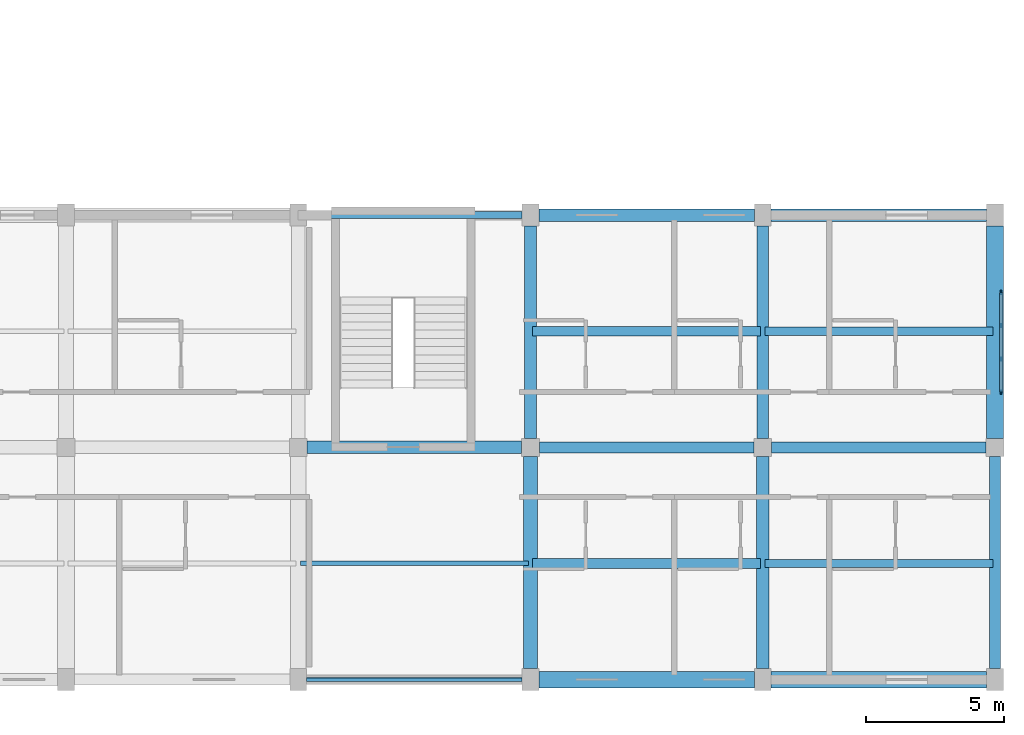
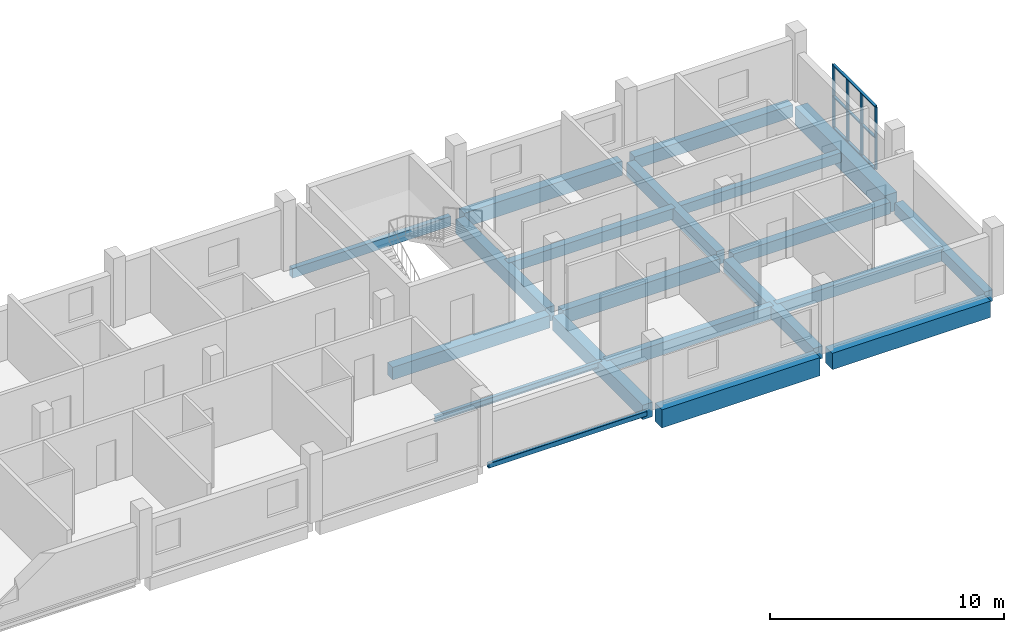
# One storey, part 7 of 26: 20 beams, 7 members, 1 element without a shape of its own.
"""IFC4 building model written with IfcOpenShell, lengths in metres."""

import ifcopenshell
import ifcopenshell.guid

model = None  # the IFC model being written
_history = None  # IfcOwnerHistory: only IFC2X3 demands one
_inside = {}  # id of a spatial element -> (the spatial element, [elements in it])
_under = {}  # id of a project, library or spatial element -> (it, [spatial elements below it])
_declared = {}  # id of a project -> (the project, [libraries it declares])
_typed = {}  # id of a type object -> (the type object, [elements of that type])
_made_of = {}  # id of a material, layer set ... -> (it, [elements and type objects made of it])


def new_model(schema):
    """Start an empty IFC model of exactly this schema.

    Asked for "IFC4X3", IfcOpenShell would pick the latest addendum, in which some entities
    have other attributes; the version numbers below select the first issue.
    IFC2X3 requires an IfcOwnerHistory on every rooted entity: one is made here for all.
    """
    global model, _history
    if schema == "IFC4X3":
        model = ifcopenshell.file(schema_version=(4, 3, 0, 0))
    else:
        model = ifcopenshell.file(schema=schema)
    _inside.clear()
    _under.clear()
    _declared.clear()
    _typed.clear()
    _made_of.clear()
    _history = None
    if model.schema == "IFC2X3":
        org = make("IfcOrganization", Name="unknown")
        user = make(
            "IfcPersonAndOrganization",
            ThePerson=make("IfcPerson", FamilyName="unknown"),
            TheOrganization=org,
        )
        app = make(
            "IfcApplication",
            ApplicationDeveloper=org,
            Version="unknown",
            ApplicationFullName="unknown",
            ApplicationIdentifier="unknown",
        )
        _history = make(
            "IfcOwnerHistory",
            OwningUser=user,
            OwningApplication=app,
            ChangeAction="ADDED",
            CreationDate=0,
        )
    return model


def make(cls, **values):
    """One entity of the class cls with the attributes given. An attribute that is None is left unset."""
    return model.create_entity(
        cls, **{name: value for name, value in values.items() if value is not None}
    )


def rooted(cls, **values):
    """An entity with a GlobalId (a new one), such as an element, a storey or a relation."""
    return make(cls, GlobalId=ifcopenshell.guid.new(), OwnerHistory=_history, **values)


def si_unit(unit_type, name, prefix=None):
    """IfcSIUnit, for example si_unit("LENGTHUNIT", "METRE", prefix="MILLI")."""
    return make("IfcSIUnit", UnitType=unit_type, Prefix=prefix, Name=name)


def derived_unit(unit_type, elements):
    """IfcDerivedUnit: a product of units, each with its exponent."""
    return make(
        "IfcDerivedUnit",
        Elements=[
            make("IfcDerivedUnitElement", Unit=unit, Exponent=power)
            for unit, power in elements
        ],
        UnitType=unit_type,
    )


def assignment(units):
    """IfcUnitAssignment: the units of a project."""
    return None if units is None else make("IfcUnitAssignment", Units=units)


def point(xyz):
    """IfcCartesianPoint."""
    return None if xyz is None else make("IfcCartesianPoint", Coordinates=xyz)


def direction(xyz):
    """IfcDirection."""
    return None if xyz is None else make("IfcDirection", DirectionRatios=xyz)


def frame(location, z_axis=None, x_axis=None):
    """IfcAxis2Placement3D, a coordinate frame: its origin and axes. An axis left out is left unset."""
    return make(
        "IfcAxis2Placement3D",
        Location=point(location),
        Axis=direction(z_axis),
        RefDirection=direction(x_axis),
    )


def frame_2d(location, x_axis=None):
    """IfcAxis2Placement2D, a coordinate frame in the plane: its origin and x axis."""
    return make(
        "IfcAxis2Placement2D", Location=point(location), RefDirection=direction(x_axis)
    )


def origin():
    """The frame at (0, 0, 0) with its axes left unset."""
    return frame((0.0, 0.0, 0.0))


def origin_2d():
    """The frame at (0, 0) in the plane with its x axis left unset."""
    return frame_2d((0.0, 0.0))


def place(relative_to, where):
    """IfcLocalPlacement: puts the frame where relative to a parent placement (None: the world)."""
    return make(
        "IfcLocalPlacement", PlacementRelTo=relative_to, RelativePlacement=where
    )


def context(
    kind, dimensions, precision=None, world=None, true_north=None, identifier=None
):
    """IfcGeometricRepresentationContext, for example the 3D "Model" context."""
    return make(
        "IfcGeometricRepresentationContext",
        ContextIdentifier=identifier,
        ContextType=kind,
        CoordinateSpaceDimension=dimensions,
        Precision=precision,
        WorldCoordinateSystem=world,
        TrueNorth=true_north,
    )


def subcontext(parent, identifier, kind, view, scale=None):
    """IfcGeometricRepresentationSubContext, for example "Body" below "Model"."""
    return make(
        "IfcGeometricRepresentationSubContext",
        ContextIdentifier=identifier,
        ContextType=kind,
        ParentContext=parent,
        TargetScale=scale,
        TargetView=view,
    )


def project(units=None, contexts=None):
    """IfcProject with its units and contexts."""
    return rooted(
        "IfcProject",
        Name="project",
        RepresentationContexts=contexts,
        UnitsInContext=assignment(units),
    )


def spatial(cls, under=None, at=None, **own):
    """A site, building, storey or space (cls), placed at a placement, below another one or the project."""
    s = rooted(cls, ObjectPlacement=at, **own)
    if under is not None:
        _under.setdefault(under.id(), (under, []))[1].append(s)
    return s


def profile(cls, at=None, kind="AREA", **sizes):
    """A parametric profile (cls). Its sizes go by their IFC names, for example OverallWidth=200.0."""
    return make(cls, ProfileType=kind, Position=at, **sizes)


def rectangle(**sizes):
    """IfcRectangleProfileDef."""
    return profile("IfcRectangleProfileDef", **sizes)


def hollow_rectangle(**sizes):
    """IfcRectangleHollowProfileDef."""
    return profile("IfcRectangleHollowProfileDef", **sizes)


def i_section(**sizes):
    """IfcIShapeProfileDef."""
    return profile("IfcIShapeProfileDef", **sizes)


def extrude(swept, where, along, depth):
    """IfcExtrudedAreaSolid: the profile swept, set in the frame where, extruded along a direction by depth."""
    return make(
        "IfcExtrudedAreaSolid",
        SweptArea=swept,
        Position=where,
        ExtrudedDirection=direction(along),
        Depth=depth,
    )


def shape(context_of_items, identifier, shape_type, items):
    """IfcShapeRepresentation: the items that make up one representation, for example the "Body"."""
    return make(
        "IfcShapeRepresentation",
        ContextOfItems=context_of_items,
        RepresentationIdentifier=identifier,
        RepresentationType=shape_type,
        Items=items,
    )


def material(Name=None, Category=None):
    """IfcMaterial."""
    return make("IfcMaterial", Name=Name, Category=Category)


def material_profile(
    of_material, cross_section, Name=None, Category=None, Priority=None
):
    """IfcMaterialProfile: a cross section and its material."""
    return make(
        "IfcMaterialProfile",
        Name=Name,
        Material=of_material,
        Profile=cross_section,
        Priority=Priority,
        Category=Category,
    )


def profile_set(profiles, Name=None, composite=None):
    """IfcMaterialProfileSet."""
    return make(
        "IfcMaterialProfileSet",
        Name=Name,
        MaterialProfiles=profiles,
        CompositeProfile=composite,
    )


def made_of(thing, what):
    """Note that an element or type object is made of a material, layer set ...; save() writes the relation."""
    if what is not None:
        _made_of.setdefault(what.id(), (what, []))[1].append(thing)
    return thing


def type_object(cls, material=None, **own):
    """A type object (cls), such as IfcWallType, which elements share."""
    return made_of(rooted(cls, **own), material)


def element(
    cls,
    number,
    at=None,
    inside=None,
    cuts=None,
    type_object=None,
    material=None,
    context=None,
    identifier="Body",
    shape_type=None,
    held_by="IfcProductDefinitionShape",
    body=None,
    shapes=None,
    **own,
):
    """One element of the class cls, such as IfcWall. Its Tag is "e" and its number.

    at: its placement. inside: the storey or other place that contains it. cuts: it is an
    opening in that element (IfcRelVoidsElement). A single representation is given by context,
    identifier, shape_type and body (its items); several are given by shapes. held_by: the class
    of the entity that holds the representations. save() writes the other relations.
    """
    e = rooted(cls, Tag="e%d" % number, ObjectPlacement=at, **own)
    if body is not None:
        shapes = [shape(context, identifier, shape_type, body)]
    if shapes is not None:
        e.Representation = make(held_by, Representations=shapes)
    if inside is not None:
        _inside.setdefault(inside.id(), (inside, []))[1].append(e)
    if cuts is not None:
        rooted(
            "IfcRelVoidsElement", RelatingBuildingElement=cuts, RelatedOpeningElement=e
        )
    if type_object is not None:
        _typed.setdefault(type_object.id(), (type_object, []))[1].append(e)
    return made_of(e, material)


def aggregate(whole, parts):
    """IfcRelAggregates: a whole, such as a stair, and the parts it consists of."""
    return rooted("IfcRelAggregates", RelatingObject=whole, RelatedObjects=parts)


def save(model, path):
    """Write the relations noted so far, then the file.

    IfcRelAggregates (storeys below a building ...), IfcRelContainedInSpatialStructure (elements
    in a storey), IfcRelDefinesByType, IfcRelAssociatesMaterial and IfcRelDeclares: one each for
    every whole, place, type object, material and project.
    """
    for whole, parts in _under.values():
        aggregate(whole, parts)
    for where, things in _inside.values():
        rooted(
            "IfcRelContainedInSpatialStructure",
            RelatedElements=things,
            RelatingStructure=where,
        )
    for kind, things in _typed.values():
        rooted("IfcRelDefinesByType", RelatedObjects=things, RelatingType=kind)
    for what, things in _made_of.values():
        rooted("IfcRelAssociatesMaterial", RelatedObjects=things, RelatingMaterial=what)
    for by, libraries in _declared.values():
        rooted("IfcRelDeclares", RelatingContext=by, RelatedDefinitions=libraries)
    model.write(path)


model = new_model("IFC4")

# Units and contexts
model_context = context("Model", 3, precision=1e-05, world=origin(), true_north=direction((0.0, 1.0)))
body_context = subcontext(model_context, "Body", "Model", "MODEL_VIEW")
ifc_project = project(units=[si_unit("LENGTHUNIT", "METRE"), si_unit("AREAUNIT", "SQUARE_METRE"), si_unit("VOLUMEUNIT", "CUBIC_METRE"), si_unit("PLANEANGLEUNIT", "RADIAN"), si_unit("MASSUNIT", "GRAM", prefix="KILO"), derived_unit("THERMALTRANSMITTANCEUNIT", [(si_unit("POWERUNIT", "WATT"), 1), (si_unit("LENGTHUNIT", "METRE"), -2), (si_unit("THERMODYNAMICTEMPERATUREUNIT", "KELVIN"), -1)])], contexts=[model_context])

# Site, building, storey
site_placement = place(None, origin())
site = spatial("IfcSite", under=ifc_project, at=site_placement, CompositionType="ELEMENT")
building_placement = place(site_placement, origin())
building = spatial("IfcBuilding", under=site, at=building_placement, Name="Barrovel Congress Hotel", CompositionType="ELEMENT")
storey_placement = place(building_placement, frame((0.0, 0.0, 21.89990234375)))
storey = spatial("IfcBuildingStorey", under=building, at=storey_placement, Name="L05", CompositionType="ELEMENT", Elevation=21.89990234375)

# Beams
ifc_material_1 = material(Name="Concrete C40", Category="concrete")
ifc_material_profile_1 = material_profile(ifc_material_1, rectangle(XDim=0.25, YDim=0.5, at=origin_2d()), Name="RC250x500")
ifc_profile_set_1 = profile_set([ifc_material_profile_1], Name="Concrete C40")
beam_type_1 = type_object("IfcBeamType", Name="BM-RC250x500", PredefinedType="SPANDREL", material=ifc_profile_set_1)
beam_1_placement = place(storey_placement, frame((143.10009765625, 21.0, -0.469970703125), z_axis=(1.0, 0.0, 0.0), x_axis=(0.0, 1.0, 0.0)))
element("IfcBeam", 1, at=beam_1_placement, inside=storey, type_object=beam_type_1, Name="BMX:L05:21.0:142.8-151.2", PredefinedType="SPANDREL", context=body_context, shape_type="SweptSolid", body=[
    extrude(rectangle(XDim=0.25, YDim=0.5, at=origin_2d()), origin(), (0.0, 0.0, 1.0), 7.7998046875),
])
ifc_material_profile_2 = material_profile(ifc_material_1, rectangle(XDim=0.300048828125, YDim=0.5, at=origin_2d()), Name="RC300x500")
ifc_profile_set_2 = profile_set([ifc_material_profile_2], Name="Concrete C40")
beam_type_2 = type_object("IfcBeamType", Name="BM-RC300x500", PredefinedType="JOIST", material=ifc_profile_set_2)
beam_2_placement = place(storey_placement, frame((159.679931640625, 16.800048828125, -0.469970703125), z_axis=(1.0, 0.0, 0.0), x_axis=(0.0, 1.0, 0.0)))
element("IfcBeam", 2, at=beam_2_placement, inside=storey, type_object=beam_type_2, Name="JST:L05:159.6:16.8", PredefinedType="JOIST", context=body_context, shape_type="SweptSolid", body=[
    extrude(rectangle(XDim=0.300048828125, YDim=0.5, at=origin_2d()), origin(), (0.0, 0.0, 1.0), 8.239990234375),
])
ifc_material_profile_3 = material_profile(ifc_material_1, rectangle(XDim=0.300048828125, YDim=0.60009765625, at=origin_2d()), Name="RC300x600")
ifc_profile_set_3 = profile_set([ifc_material_profile_3], Name="Concrete C40")
beam_type_3 = type_object("IfcBeamType", Name="BM-RC300x600", PredefinedType="JOIST", material=ifc_profile_set_3)
beam_3_placement = place(storey_placement, frame((159.679931640625, 8.39990234375, -0.52001953125), z_axis=(1.0, 0.0, 0.0), x_axis=(0.0, 1.0, 0.0)))
element("IfcBeam", 3, at=beam_3_placement, inside=storey, type_object=beam_type_3, Name="JST:L05:159.6:8.4", PredefinedType="JOIST", context=body_context, shape_type="SweptSolid", body=[
    extrude(rectangle(XDim=0.300048828125, YDim=0.60009765625, at=origin_2d()), origin(), (0.0, 0.0, 1.0), 8.239990234375),
])
ifc_material_profile_4 = material_profile(ifc_material_1, rectangle(XDim=0.35009765625, YDim=0.550048828125, at=origin_2d()), Name="RC350x550")
ifc_profile_set_4 = profile_set([ifc_material_profile_4], Name="Concrete C40")
beam_type_4 = type_object("IfcBeamType", Name="BM-RC350x550", PredefinedType="JOIST", material=ifc_profile_set_4)
beam_4_placement = place(storey_placement, frame((151.280029296875, 16.800048828125, -0.494873046875), z_axis=(1.0, 0.0, 0.0), x_axis=(0.0, 1.0, 0.0)))
element("IfcBeam", 4, at=beam_4_placement, inside=storey, type_object=beam_type_4, Name="JST:L05:151.2:16.8", PredefinedType="JOIST", context=body_context, shape_type="SweptSolid", body=[
    extrude(rectangle(XDim=0.35009765625, YDim=0.550048828125, at=origin_2d()), origin(), (0.0, 0.0, 1.0), 8.239990234375),
])
ifc_material_profile_5 = material_profile(ifc_material_1, rectangle(XDim=0.35009765625, YDim=0.64990234375, at=origin_2d()), Name="RC350x650")
ifc_profile_set_5 = profile_set([ifc_material_profile_5], Name="Concrete C40")
beam_type_5 = type_object("IfcBeamType", Name="BM-RC350x650", PredefinedType="JOIST", material=ifc_profile_set_5)
beam_5_placement = place(storey_placement, frame((151.280029296875, 8.39990234375, -0.544921875), z_axis=(1.0, 0.0, 0.0), x_axis=(0.0, 1.0, 0.0)))
element("IfcBeam", 5, at=beam_5_placement, inside=storey, type_object=beam_type_5, Name="JST:L05:151.2:8.4", PredefinedType="JOIST", context=body_context, shape_type="SweptSolid", body=[
    extrude(rectangle(XDim=0.35009765625, YDim=0.64990234375, at=origin_2d()), origin(), (0.0, 0.0, 1.0), 8.239990234375),
])
ifc_material_profile_6 = material_profile(ifc_material_1, rectangle(XDim=0.39990234375, YDim=0.60009765625, at=origin_2d()), Name="RC400x600")
ifc_profile_set_6 = profile_set([ifc_material_profile_6], Name="Concrete C40")
beam_type_6 = type_object("IfcBeamType", Name="BM-RC400x600", PredefinedType="BEAM", material=ifc_profile_set_6)
beam_6_placement = place(storey_placement, frame((159.925048828125, 12.60009765625, -0.52001953125), z_axis=(1.0, 0.0, 0.0), x_axis=(0.0, 1.0, 0.0)))
element("IfcBeam", 6, at=beam_6_placement, inside=storey, type_object=beam_type_6, Name="BMX:L05:12.6:159.6-168.0", PredefinedType="BEAM", context=body_context, shape_type="SweptSolid", body=[
    extrude(rectangle(XDim=0.39990234375, YDim=0.60009765625, at=origin_2d()), origin(), (0.0, 0.0, 1.0), 7.75),
])
beam_7_placement = place(storey_placement, frame((168.0, 4.60009765625, -0.52001953125), z_axis=(0.0, 1.0, 0.0), x_axis=(-1.0, 0.0, 0.0)))
element("IfcBeam", 7, at=beam_7_placement, inside=storey, type_object=beam_type_6, Name="BMY:L05:168.0:4.2-12.6", PredefinedType="BEAM", context=body_context, shape_type="SweptSolid", body=[
    extrude(rectangle(XDim=0.39990234375, YDim=0.60009765625, at=origin_2d()), origin(), (0.0, 0.0, 1.0), 7.6748046875),
])
ifc_material_profile_7 = material_profile(ifc_material_1, rectangle(XDim=0.39990234375, YDim=0.699951171875, at=origin_2d()), Name="RC400x700")
ifc_profile_set_7 = profile_set([ifc_material_profile_7], Name="Concrete C40")
beam_type_7 = type_object("IfcBeamType", Name="BM-RC400x700", PredefinedType="BEAM", material=ifc_profile_set_7)
beam_8_placement = place(storey_placement, frame((151.52490234375, 12.60009765625, -0.56982421875), z_axis=(1.0, 0.0, 0.0), x_axis=(0.0, 1.0, 0.0)))
element("IfcBeam", 8, at=beam_8_placement, inside=storey, type_object=beam_type_7, Name="BMX:L05:12.6:151.2-159.6", PredefinedType="BEAM", context=body_context, shape_type="SweptSolid", body=[
    extrude(rectangle(XDim=0.39990234375, YDim=0.699951171875, at=origin_2d()), origin(), (0.0, 0.0, 1.0), 7.75),
])
beam_9_placement = place(storey_placement, frame((159.60009765625, 12.925048828125, -0.56982421875), z_axis=(0.0, 1.0, 0.0), x_axis=(-1.0, 0.0, 0.0)))
element("IfcBeam", 9, at=beam_9_placement, inside=storey, type_object=beam_type_7, Name="BMY:L05:159.6:12.6-21.0", PredefinedType="BEAM", context=body_context, shape_type="SweptSolid", body=[
    extrude(rectangle(XDim=0.39990234375, YDim=0.699951171875, at=origin_2d()), origin(), (0.0, 0.0, 1.0), 7.675048828125),
])
ifc_material_profile_8 = material_profile(ifc_material_1, rectangle(XDim=0.449951171875, YDim=0.64990234375, at=origin_2d()), Name="RC450x650")
ifc_profile_set_8 = profile_set([ifc_material_profile_8], Name="Concrete C40")
beam_type_8 = type_object("IfcBeamType", Name="BM-RC450x650", PredefinedType="BEAM", material=ifc_profile_set_8)
beam_10_placement = place(storey_placement, frame((143.125, 12.60009765625, -0.544921875), z_axis=(1.0, 0.0, 0.0), x_axis=(0.0, 1.0, 0.0)))
element("IfcBeam", 10, at=beam_10_placement, inside=storey, type_object=beam_type_8, Name="BMX:L05:12.6:142.8-151.2", PredefinedType="BEAM", context=body_context, shape_type="SweptSolid", body=[
    extrude(rectangle(XDim=0.449951171875, YDim=0.64990234375, at=origin_2d()), origin(), (0.0, 0.0, 1.0), 7.75),
])
beam_11_placement = place(storey_placement, frame((159.89990234375, 21.0, -0.544921875), z_axis=(1.0, 0.0, 0.0), x_axis=(0.0, 1.0, 0.0)))
element("IfcBeam", 11, at=beam_11_placement, inside=storey, type_object=beam_type_8, Name="BMX:L05:21.0:159.6-168.0", PredefinedType="BEAM", context=body_context, shape_type="SweptSolid", body=[
    extrude(rectangle(XDim=0.449951171875, YDim=0.64990234375, at=origin_2d()), origin(), (0.0, 0.0, 1.0), 7.800048828125),
])
beam_12_placement = place(storey_placement, frame((159.60009765625, 4.60009765625, -0.544921875), z_axis=(0.0, 1.0, 0.0), x_axis=(-1.0, 0.0, 0.0)))
element("IfcBeam", 12, at=beam_12_placement, inside=storey, type_object=beam_type_8, Name="BMY:L05:159.6:4.2-12.6", PredefinedType="BEAM", context=body_context, shape_type="SweptSolid", body=[
    extrude(rectangle(XDim=0.449951171875, YDim=0.64990234375, at=origin_2d()), origin(), (0.0, 0.0, 1.0), 7.6748046875),
])
ifc_material_profile_9 = material_profile(ifc_material_1, rectangle(XDim=0.449951171875, YDim=0.75, at=origin_2d()), Name="RC450x750")
ifc_profile_set_9 = profile_set([ifc_material_profile_9], Name="Concrete C40")
beam_type_9 = type_object("IfcBeamType", Name="BM-RC450x750", PredefinedType="BEAM", material=ifc_profile_set_9)
beam_13_placement = place(storey_placement, frame((151.5, 21.0, -0.594970703125), z_axis=(1.0, 0.0, 0.0), x_axis=(0.0, 1.0, 0.0)))
element("IfcBeam", 13, at=beam_13_placement, inside=storey, type_object=beam_type_9, Name="BMX:L05:21.0:151.2-159.6", PredefinedType="BEAM", context=body_context, shape_type="SweptSolid", body=[
    extrude(rectangle(XDim=0.449951171875, YDim=0.75, at=origin_2d()), origin(), (0.0, 0.0, 1.0), 7.800048828125),
])
beam_14_placement = place(storey_placement, frame((151.199951171875, 12.925048828125, -0.594970703125), z_axis=(0.0, 1.0, 0.0), x_axis=(-1.0, 0.0, 0.0)))
element("IfcBeam", 14, at=beam_14_placement, inside=storey, type_object=beam_type_9, Name="BMY:L05:151.2:12.6-21.0", PredefinedType="BEAM", context=body_context, shape_type="SweptSolid", body=[
    extrude(rectangle(XDim=0.449951171875, YDim=0.75, at=origin_2d()), origin(), (0.0, 0.0, 1.0), 7.675048828125),
])
ifc_material_profile_10 = material_profile(ifc_material_1, rectangle(XDim=0.5, YDim=0.75, at=origin_2d()), Name="RC500x750")
ifc_profile_set_10 = profile_set([ifc_material_profile_10], Name="Concrete C40")
beam_type_10 = type_object("IfcBeamType", Name="BM-RC500x750", PredefinedType="BEAM", material=ifc_profile_set_10)
beam_15_placement = place(storey_placement, frame((151.199951171875, 4.60009765625, -0.594970703125), z_axis=(0.0, 1.0, 0.0), x_axis=(-1.0, 0.0, 0.0)))
element("IfcBeam", 15, at=beam_15_placement, inside=storey, type_object=beam_type_10, Name="BMY:L05:151.2:4.2-12.6", PredefinedType="BEAM", context=body_context, shape_type="SweptSolid", body=[
    extrude(rectangle(XDim=0.5, YDim=0.75, at=origin_2d()), origin(), (0.0, 0.0, 1.0), 7.6748046875),
])
ifc_material_profile_11 = material_profile(ifc_material_1, rectangle(XDim=0.60009765625, YDim=0.85009765625, at=origin_2d()), Name="RC600x850")
ifc_profile_set_11 = profile_set([ifc_material_profile_11], Name="Concrete C40")
beam_type_11 = type_object("IfcBeamType", Name="BM-RC600x850", PredefinedType="BEAM", material=ifc_profile_set_11)
beam_16_placement = place(storey_placement, frame((159.89990234375, 4.199951171875, -0.64501953125), z_axis=(1.0, 0.0, 0.0), x_axis=(0.0, 1.0, 0.0)))
element("IfcBeam", 16, at=beam_16_placement, inside=storey, type_object=beam_type_11, Name="BMX:L05:4.2:159.6-168.0", PredefinedType="BEAM", context=body_context, shape_type="SweptSolid", body=[
    extrude(rectangle(XDim=0.60009765625, YDim=0.85009765625, at=origin_2d()), origin(), (0.0, 0.0, 1.0), 7.800048828125),
])
ifc_material_profile_12 = material_profile(ifc_material_1, rectangle(XDim=0.60009765625, YDim=0.949951171875, at=origin_2d()), Name="RC600x950")
ifc_profile_set_12 = profile_set([ifc_material_profile_12], Name="Concrete C40")
beam_type_12 = type_object("IfcBeamType", Name="BM-RC600x950", PredefinedType="BEAM", material=ifc_profile_set_12)
beam_17_placement = place(storey_placement, frame((151.5, 4.199951171875, -0.69482421875), z_axis=(1.0, 0.0, 0.0), x_axis=(0.0, 1.0, 0.0)))
element("IfcBeam", 17, at=beam_17_placement, inside=storey, type_object=beam_type_12, Name="BMX:L05:4.2:151.2-159.6", PredefinedType="BEAM", context=body_context, shape_type="SweptSolid", body=[
    extrude(rectangle(XDim=0.60009765625, YDim=0.949951171875, at=origin_2d()), origin(), (0.0, 0.0, 1.0), 7.800048828125),
])
beam_18_placement = place(storey_placement, frame((168.0, 12.925048828125, -0.69482421875), z_axis=(0.0, 1.0, 0.0), x_axis=(-1.0, 0.0, 0.0)))
element("IfcBeam", 18, at=beam_18_placement, inside=storey, type_object=beam_type_12, Name="BMY:L05:168.0:12.6-21.0", PredefinedType="BEAM", context=body_context, shape_type="SweptSolid", body=[
    extrude(rectangle(XDim=0.60009765625, YDim=0.949951171875, at=origin_2d()), origin(), (0.0, 0.0, 1.0), 7.675048828125),
])

# Curtain wall, members
ifc_material_2 = material(Name="Anodised Aluminium Alloy 6063-T6", Category="aluminium")
curtain_wall_type = type_object("IfcCurtainWallType", Name="CW-UN-3600x3200", PredefinedType="USERDEFINED", material=ifc_material_2)
curtain_wall_placement = place(storey_placement, origin())
curtain_wall = element("IfcCurtainWall", 19, at=curtain_wall_placement, inside=storey, type_object=curtain_wall_type, Name="CW:L05:UN-1", ObjectType="UNITISED CURTAIN WALL", PredefinedType="USERDEFINED")
ifc_material_profile_13 = material_profile(ifc_material_2, rectangle(XDim=0.06005859375, YDim=0.1650390625, at=origin_2d()), Name="AL-M60x165")
ifc_profile_set_13 = profile_set([ifc_material_profile_13], Name="Anodised Aluminium Alloy 6063-T6")
member_type_1 = type_object("IfcMemberType", Name="CWM-AL-M60x165", PredefinedType="MULLION", material=ifc_profile_set_13)
member_1_placement = place(storey_placement, frame((168.219970703125, 14.60009765625, 0.0), z_axis=(0.0, 0.0, 1.0), x_axis=(1.0, 0.0, 0.0)))
member_1 = element("IfcMember", 20, at=member_1_placement, type_object=member_type_1, Name="CW:L05:UN-1:M0", PredefinedType="MULLION", context=body_context, shape_type="SweptSolid", body=[
    extrude(rectangle(XDim=0.06005859375, YDim=0.1650390625, at=origin_2d()), origin(), (0.0, 0.0, 1.0), 3.25),
])
member_2_placement = place(storey_placement, frame((168.219970703125, 15.800048828125, 0.0), z_axis=(0.0, 0.0, 1.0), x_axis=(1.0, 0.0, 0.0)))
member_2 = element("IfcMember", 21, at=member_2_placement, type_object=member_type_1, Name="CW:L05:UN-1:M1", PredefinedType="MULLION", context=body_context, shape_type="SweptSolid", body=[
    extrude(rectangle(XDim=0.06005859375, YDim=0.1650390625, at=origin_2d()), origin(), (0.0, 0.0, 1.0), 3.25),
])
member_3_placement = place(storey_placement, frame((168.219970703125, 17.0, 0.0), z_axis=(0.0, 0.0, 1.0), x_axis=(1.0, 0.0, 0.0)))
member_3 = element("IfcMember", 22, at=member_3_placement, type_object=member_type_1, Name="CW:L05:UN-1:M2", PredefinedType="MULLION", context=body_context, shape_type="SweptSolid", body=[
    extrude(rectangle(XDim=0.06005859375, YDim=0.1650390625, at=origin_2d()), origin(), (0.0, 0.0, 1.0), 3.25),
])
member_4_placement = place(storey_placement, frame((168.219970703125, 18.199951171875, 0.0), z_axis=(0.0, 0.0, 1.0), x_axis=(1.0, 0.0, 0.0)))
member_4 = element("IfcMember", 23, at=member_4_placement, type_object=member_type_1, Name="CW:L05:UN-1:M3", PredefinedType="MULLION", context=body_context, shape_type="SweptSolid", body=[
    extrude(rectangle(XDim=0.06005859375, YDim=0.1650390625, at=origin_2d()), origin(), (0.0, 0.0, 1.0), 3.25),
])
ifc_material_profile_14 = material_profile(ifc_material_2, rectangle(XDim=0.125, YDim=0.06005859375, at=origin_2d()), Name="AL-T60x125")
ifc_profile_set_14 = profile_set([ifc_material_profile_14], Name="Anodised Aluminium Alloy 6063-T6")
member_type_2 = type_object("IfcMemberType", Name="CWT-AL-T60x125", PredefinedType="USERDEFINED", material=ifc_profile_set_14)
member_5_placement = place(storey_placement, frame((168.219970703125, 14.60009765625, 0.0), z_axis=(0.0, 1.0, 0.0), x_axis=(-1.0, 0.0, 0.0)))
member_5 = element("IfcMember", 24, at=member_5_placement, type_object=member_type_2, Name="CW:L05:UN-1:T0", ObjectType="TRANSOM", PredefinedType="USERDEFINED", context=body_context, shape_type="SweptSolid", body=[
    extrude(rectangle(XDim=0.125, YDim=0.06005859375, at=origin_2d()), origin(), (0.0, 0.0, 1.0), 3.599853515625),
])
member_6_placement = place(storey_placement, frame((168.219970703125, 14.60009765625, 1.625), z_axis=(0.0, 1.0, 0.0), x_axis=(-1.0, 0.0, 0.0)))
member_6 = element("IfcMember", 25, at=member_6_placement, type_object=member_type_2, Name="CW:L05:UN-1:T1", ObjectType="TRANSOM", PredefinedType="USERDEFINED", context=body_context, shape_type="SweptSolid", body=[
    extrude(rectangle(XDim=0.125, YDim=0.06005859375, at=origin_2d()), origin(), (0.0, 0.0, 1.0), 3.599853515625),
])
member_7_placement = place(storey_placement, frame((168.219970703125, 14.60009765625, 3.25), z_axis=(0.0, 1.0, 0.0), x_axis=(-1.0, 0.0, 0.0)))
member_7 = element("IfcMember", 26, at=member_7_placement, type_object=member_type_2, Name="CW:L05:UN-1:T2", ObjectType="TRANSOM", PredefinedType="USERDEFINED", context=body_context, shape_type="SweptSolid", body=[
    extrude(rectangle(XDim=0.125, YDim=0.06005859375, at=origin_2d()), origin(), (0.0, 0.0, 1.0), 3.599853515625),
])
aggregate(curtain_wall, [member_1, member_2, member_3, member_4, member_5, member_6, member_7])

# Beams
ifc_material_3 = material(Name="Steel ASTM A500 Grade C", Category="steel")
ifc_material_profile_15 = material_profile(ifc_material_3, hollow_rectangle(XDim=0.15234375, YDim=0.25390625, WallThickness=0.0087890625, InnerFilletRadius=0.0087890625, OuterFilletRadius=0.017578125, at=origin_2d()), Name="HSS254x152x9.5")
ifc_profile_set_15 = profile_set([ifc_material_profile_15], Name="Steel ASTM A500 Grade C")
beam_type_13 = type_object("IfcBeamType", Name="SBM-HSS254x152x9.5", PredefinedType="SPANDREL", material=ifc_profile_set_15)
beam_19_placement = place(storey_placement, frame((143.10009765625, 4.199951171875, -0.346923828125), z_axis=(1.0, 0.0, 0.0), x_axis=(0.0, 1.0, 0.0)))
element("IfcBeam", 27, at=beam_19_placement, inside=storey, type_object=beam_type_13, Name="BMX:L05:4.2:142.8-151.2", PredefinedType="SPANDREL", context=body_context, shape_type="SweptSolid", body=[
    extrude(hollow_rectangle(XDim=0.15234375, YDim=0.25390625, WallThickness=0.0087890625, InnerFilletRadius=0.0087890625, OuterFilletRadius=0.017578125, at=origin_2d()), origin(), (0.0, 0.0, 1.0), 7.7998046875),
])
ifc_material_4 = material(Name="Steel ASTM A992 Grade 50", Category="steel")
ifc_material_profile_16 = material_profile(ifc_material_4, i_section(OverallWidth=0.1650390625, OverallDepth=0.31005859375, WebThickness=0.005859375, FlangeThickness=0.009765625, FilletRadius=0.010986328125, at=origin_2d()), Name="W310x39")
ifc_profile_set_16 = profile_set([ifc_material_profile_16], Name="Steel ASTM A992 Grade 50")
beam_type_14 = type_object("IfcBeamType", Name="SBM-W310x39", PredefinedType="JOIST", material=ifc_profile_set_16)
beam_20_placement = place(storey_placement, frame((142.8798828125, 8.39990234375, -0.375), z_axis=(1.0, 0.0, 0.0), x_axis=(0.0, 1.0, 0.0)))
element("IfcBeam", 28, at=beam_20_placement, inside=storey, type_object=beam_type_14, Name="JST:L05:142.8:8.4", PredefinedType="JOIST", context=body_context, shape_type="SweptSolid", body=[
    extrude(i_section(OverallWidth=0.1650390625, OverallDepth=0.31005859375, WebThickness=0.005859375, FlangeThickness=0.009765625, FilletRadius=0.010986328125, at=origin_2d()), origin(), (0.0, 0.0, 1.0), 8.240234375),
])

save(model, "model.ifc")
